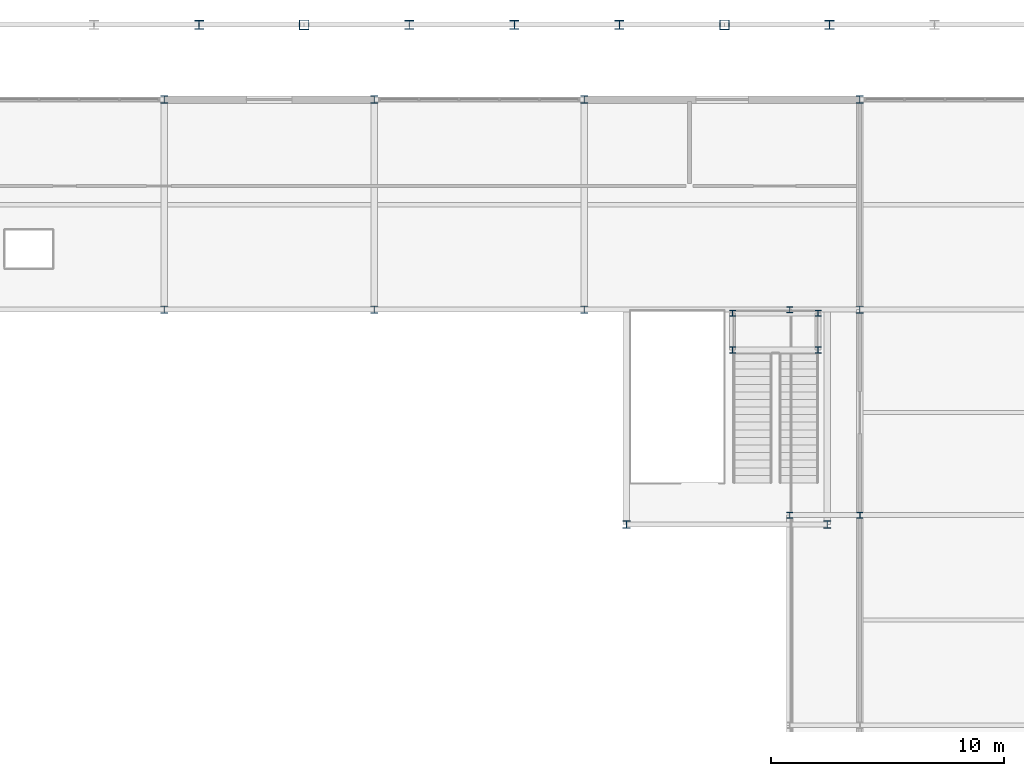
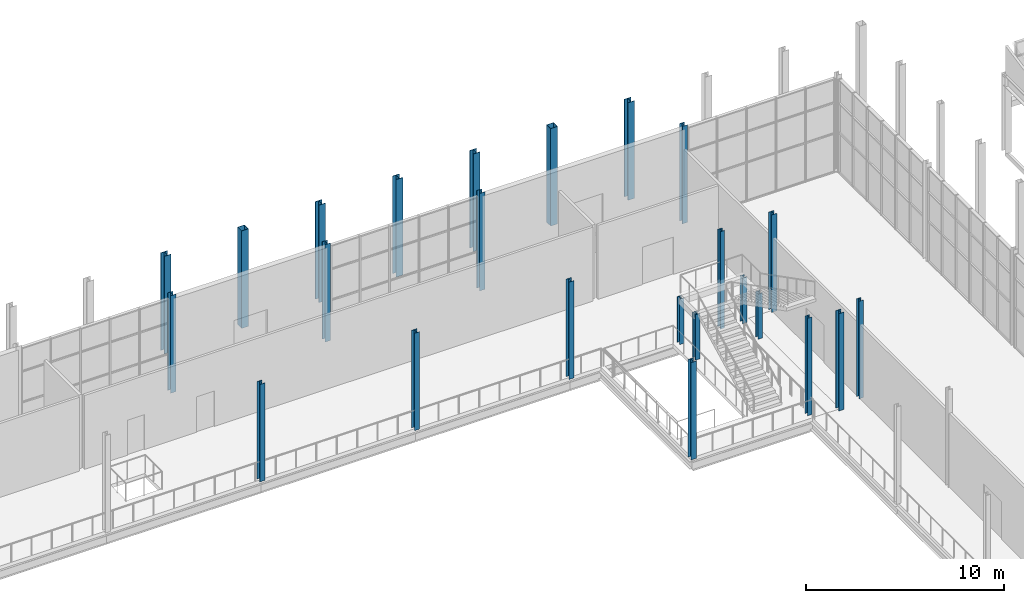
# One storey, part 23 of 159: 24 columns.
"""IFC4 building model written with IfcOpenShell, lengths in metres."""

from ifc_helpers import new_model, si_unit, direction, frame, origin, origin_2d, place, context, subcontext, project, spatial, hollow_rectangle, i_section, extrude, material, material_profile, profile_set, type_object, element, save


model = new_model("IFC4")

# Units and contexts
model_context = context("Model", 3, precision=1e-05, world=origin(), true_north=direction((0.0, 1.0)))
body_context = subcontext(model_context, "Body", "Model", "MODEL_VIEW")
ifc_project = project(units=[si_unit("LENGTHUNIT", "METRE"), si_unit("AREAUNIT", "SQUARE_METRE"), si_unit("VOLUMEUNIT", "CUBIC_METRE"), si_unit("PLANEANGLEUNIT", "RADIAN"), si_unit("MASSUNIT", "GRAM", prefix="KILO")], contexts=[model_context])

# Site, building, storey
site_placement = place(None, origin())
site = spatial("IfcSite", under=ifc_project, at=site_placement, CompositionType="ELEMENT")
building_placement = place(site_placement, origin())
building = spatial("IfcBuilding", under=site, at=building_placement, Name="Cazmaro Siding Exhibition Halls", CompositionType="ELEMENT")
storey_placement = place(building_placement, frame((0.0, 0.0, 6.0)))
storey = spatial("IfcBuildingStorey", under=building, at=storey_placement, Name="L01", CompositionType="ELEMENT", Elevation=6.0)

# Columns
ifc_material_1 = material(Name="Steel ASTM A992 Grade 50", Category="steel")
ifc_material_profile_1 = material_profile(ifc_material_1, i_section(OverallWidth=0.39208984375, OverallDepth=0.3759765625, WebThickness=0.01708984375, FlangeThickness=0.028076171875, at=origin_2d()), Name="W14X145")
ifc_profile_set_1 = profile_set([ifc_material_profile_1], Name="Steel ASTM A992 Grade 50")
column_type_1 = type_object("IfcColumnType", Name="C-03", PredefinedType="COLUMN", material=ifc_profile_set_1)
for number, where, z_axis, x_axis, name in (
    (1, (130.5, 124.0, 0.0), (0.0, 0.0, 1.0), (1.0, 0.0, 0.0), "Column C-03 COL-0119"),
    (2, (139.5, 124.0, 0.0), (0.0, 0.0, 1.0), (1.0, 0.0, 0.0), "Column C-03 COL-0131"),
    (3, (148.5, 124.0, 0.0), (0.0, 0.0, 1.0), (1.0, 0.0, 0.0), "Column C-03 COL-0143"),
    (4, (157.5, 124.0, 0.0), (0.0, 0.0, 1.0), (1.0, 0.0, 0.0), "Column C-03 COL-0155"),
):
    element("IfcColumn", number, at=place(storey_placement, frame(where, z_axis=z_axis, x_axis=x_axis)), inside=storey, type_object=column_type_1, Name=name, PredefinedType="COLUMN", context=body_context, shape_type="SweptSolid", body=[
        extrude(i_section(OverallWidth=0.39208984375, OverallDepth=0.3759765625, WebThickness=0.01708984375, FlangeThickness=0.028076171875, at=origin_2d()), origin(), (0.0, 0.0, 1.0), 6.0),
    ])
ifc_material_2 = material(Name="Steel ASTM A992 Grade 50", Category="steel")
ifc_material_profile_2 = material_profile(ifc_material_2, i_section(OverallWidth=0.304931640625, OverallDepth=0.306884765625, WebThickness=0.010009765625, FlangeThickness=0.014892578125, at=origin_2d()), Name="W12X65")
ifc_profile_set_2 = profile_set([ifc_material_profile_2], Name="Steel ASTM A992 Grade 50")
column_type_2 = type_object("IfcColumnType", Name="C-06", PredefinedType="COLUMN", material=ifc_profile_set_2)
for number, where, z_axis, x_axis, name in (
    (5, (129.0, 111.800048828125, 0.0), (0.0, 0.0, 1.0), (1.0, 0.0, 0.0), "Column C-06 COL-0351"),
    (6, (129.0, 120.800048828125, 0.0), (0.0, 0.0, 1.0), (1.0, 0.0, 0.0), "Column C-06 COL-0353"),
    (7, (138.0, 111.800048828125, 0.0), (0.0, 0.0, 1.0), (1.0, 0.0, 0.0), "Column C-06 COL-0361"),
    (8, (138.0, 120.800048828125, 0.0), (0.0, 0.0, 1.0), (1.0, 0.0, 0.0), "Column C-06 COL-0363"),
    (9, (147.0, 111.800048828125, 0.0), (0.0, 0.0, 1.0), (1.0, 0.0, 0.0), "Column C-06 COL-0371"),
    (10, (147.0, 120.800048828125, 0.0), (0.0, 0.0, 1.0), (1.0, 0.0, 0.0), "Column C-06 COL-0373"),
    (11, (158.800048828125, 111.800048828125, 0.0), (0.0, 0.0, 1.0), (1.0, 0.0, 0.0), "Column C-06 COL-0379"),
    (12, (158.800048828125, 120.800048828125, 0.0), (0.0, 0.0, 1.0), (1.0, 0.0, 0.0), "Column C-06 COL-0381"),
):
    element("IfcColumn", number, at=place(storey_placement, frame(where, z_axis=z_axis, x_axis=x_axis)), inside=storey, type_object=column_type_2, Name=name, PredefinedType="COLUMN", context=body_context, shape_type="SweptSolid", body=[
        extrude(i_section(OverallWidth=0.304931640625, OverallDepth=0.306884765625, WebThickness=0.010009765625, FlangeThickness=0.014892578125, at=origin_2d()), origin(), (0.0, 0.0, 1.0), 6.0),
    ])
ifc_material_3 = material(Name="Steel ASTM A992 Grade 50", Category="steel")
ifc_material_profile_3 = material_profile(ifc_material_3, i_section(OverallWidth=0.39892578125, OverallDepth=0.386962890625, WebThickness=0.02099609375, FlangeThickness=0.032958984375, at=origin_2d()), Name="W14X176")
ifc_profile_set_3 = profile_set([ifc_material_profile_3], Name="Steel ASTM A992 Grade 50")
column_type_3 = type_object("IfcColumnType", Name="C-11", PredefinedType="COLUMN", material=ifc_profile_set_3)
column_placement = place(storey_placement, frame((144.0, 124.0, 0.0), z_axis=(0.0, 0.0, 1.0), x_axis=(1.0, 0.0, 0.0)))
element("IfcColumn", 13, at=column_placement, inside=storey, type_object=column_type_3, Name="Column C-11 COL-0137", PredefinedType="COLUMN", context=body_context, shape_type="SweptSolid", body=[
    extrude(i_section(OverallWidth=0.39892578125, OverallDepth=0.386962890625, WebThickness=0.02099609375, FlangeThickness=0.032958984375, at=origin_2d()), origin(), (0.0, 0.0, 1.0), 6.0),
])
ifc_material_4 = material(Name="Steel ASTM A992 Grade 50", Category="steel")
ifc_material_profile_4 = material_profile(ifc_material_4, i_section(OverallWidth=0.30908203125, OverallDepth=0.320068359375, WebThickness=0.013916015625, FlangeThickness=0.02294921875, at=origin_2d()), Name="W12X96")
ifc_profile_set_4 = profile_set([ifc_material_profile_4], Name="Steel ASTM A992 Grade 50")
column_type_4 = type_object("IfcColumnType", Name="C-13", PredefinedType="COLUMN", material=ifc_profile_set_4)
for number, where, z_axis, x_axis, name in (
    (14, (148.800048828125, 102.60009765625, 0.0), (0.0, 0.0, 1.0), (1.0, 0.0, 0.0), "Column C-13 COL-1202"),
    (15, (157.39990234375, 102.60009765625, 0.0), (0.0, 0.0, 1.0), (1.0, 0.0, 0.0), "Column C-13 COL-1204"),
):
    element("IfcColumn", number, at=place(storey_placement, frame(where, z_axis=z_axis, x_axis=x_axis)), inside=storey, type_object=column_type_4, Name=name, PredefinedType="COLUMN", context=body_context, shape_type="SweptSolid", body=[
        extrude(i_section(OverallWidth=0.30908203125, OverallDepth=0.320068359375, WebThickness=0.013916015625, FlangeThickness=0.02294921875, at=origin_2d()), origin(), (0.0, 0.0, 1.0), 6.0),
    ])
ifc_material_5 = material(Name="Steel ASTM A992 Grade 50", Category="steel")
ifc_material_profile_5 = material_profile(ifc_material_5, i_section(OverallWidth=0.257080078125, OverallDepth=0.263916015625, WebThickness=0.011962890625, FlangeThickness=0.02001953125, at=origin_2d()), Name="W10X68")
ifc_profile_set_5 = profile_set([ifc_material_profile_5], Name="Steel ASTM A992 Grade 50")
column_type_5 = type_object("IfcColumnType", Name="C-14", PredefinedType="COLUMN", material=ifc_profile_set_5)
for number, where, z_axis, x_axis, name in (
    (16, (155.800048828125, 103.0, 0.0), (0.0, 0.0, 1.0), (1.0, 0.0, 0.0), "Column C-14 COL-0427"),
    (17, (158.800048828125, 103.0, 0.0), (0.0, 0.0, 1.0), (1.0, 0.0, 0.0), "Column C-14 COL-0436"),
    (18, (155.800048828125, 111.800048828125, 0.0), (0.0, 0.0, 1.0), (1.0, 0.0, 0.0), "Column C-14 COL-0456"),
):
    element("IfcColumn", number, at=place(storey_placement, frame(where, z_axis=z_axis, x_axis=x_axis)), inside=storey, type_object=column_type_5, Name=name, PredefinedType="COLUMN", context=body_context, shape_type="SweptSolid", body=[
        extrude(i_section(OverallWidth=0.257080078125, OverallDepth=0.263916015625, WebThickness=0.011962890625, FlangeThickness=0.02001953125, at=origin_2d()), origin(), (0.0, 0.0, 1.0), 6.0),
    ])
for number, where, z_axis, x_axis, name in (
    (19, (153.35009765625, 110.070068359375, 0.0), (0.0, 0.0, 1.0), (1.0, 0.0, 0.0), "Column C-14 COL-1170"),
    (20, (153.35009765625, 111.64990234375, 0.0), (0.0, 0.0, 1.0), (1.0, 0.0, 0.0), "Column C-14 COL-1172"),
    (21, (157.010009765625, 110.070068359375, 0.0), (0.0, 0.0, 1.0), (1.0, 0.0, 0.0), "Column C-14 COL-1174"),
    (22, (157.010009765625, 111.64990234375, 0.0), (0.0, 0.0, 1.0), (1.0, 0.0, 0.0), "Column C-14 COL-1176"),
):
    element("IfcColumn", number, at=place(storey_placement, frame(where, z_axis=z_axis, x_axis=x_axis)), inside=storey, type_object=column_type_5, Name=name, PredefinedType="COLUMN", context=body_context, shape_type="SweptSolid", body=[
        extrude(i_section(OverallWidth=0.257080078125, OverallDepth=0.263916015625, WebThickness=0.011962890625, FlangeThickness=0.02001953125, at=origin_2d()), origin(), (0.0, 0.0, 1.0), 2.800048828125),
    ])
ifc_material_6 = material(Name="Steel ASTM A500 Grade C", Category="steel")
ifc_material_profile_6 = material_profile(ifc_material_6, hollow_rectangle(XDim=0.406005859375, YDim=0.406005859375, WallThickness=0.014892578125, at=origin_2d()), Name="HSS16X16X5/8")
ifc_profile_set_6 = profile_set([ifc_material_profile_6], Name="Steel ASTM A500 Grade C")
column_type_6 = type_object("IfcColumnType", Name="PL-01", PredefinedType="PILASTER", material=ifc_profile_set_6)
for number, where, z_axis, x_axis, name in (
    (23, (135.0, 124.0, 0.0), (0.0, 0.0, 1.0), (1.0, 0.0, 0.0), "Column PL-01 COL-0125"),
    (24, (153.0, 124.0, 0.0), (0.0, 0.0, 1.0), (1.0, 0.0, 0.0), "Column PL-01 COL-0149"),
):
    element("IfcColumn", number, at=place(storey_placement, frame(where, z_axis=z_axis, x_axis=x_axis)), inside=storey, type_object=column_type_6, Name=name, PredefinedType="PILASTER", context=body_context, shape_type="SweptSolid", body=[
        extrude(hollow_rectangle(XDim=0.406005859375, YDim=0.406005859375, WallThickness=0.014892578125, at=origin_2d()), origin(), (0.0, 0.0, 1.0), 6.0),
    ])

save(model, "model.ifc")
